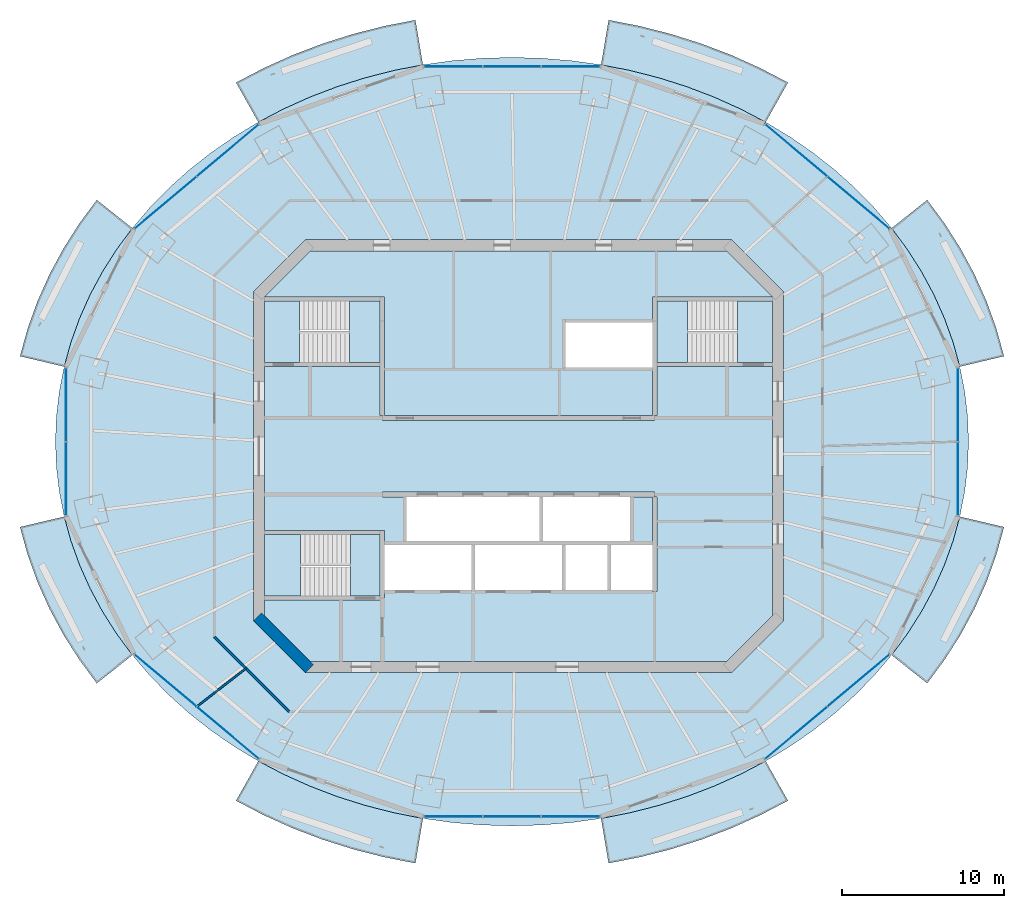
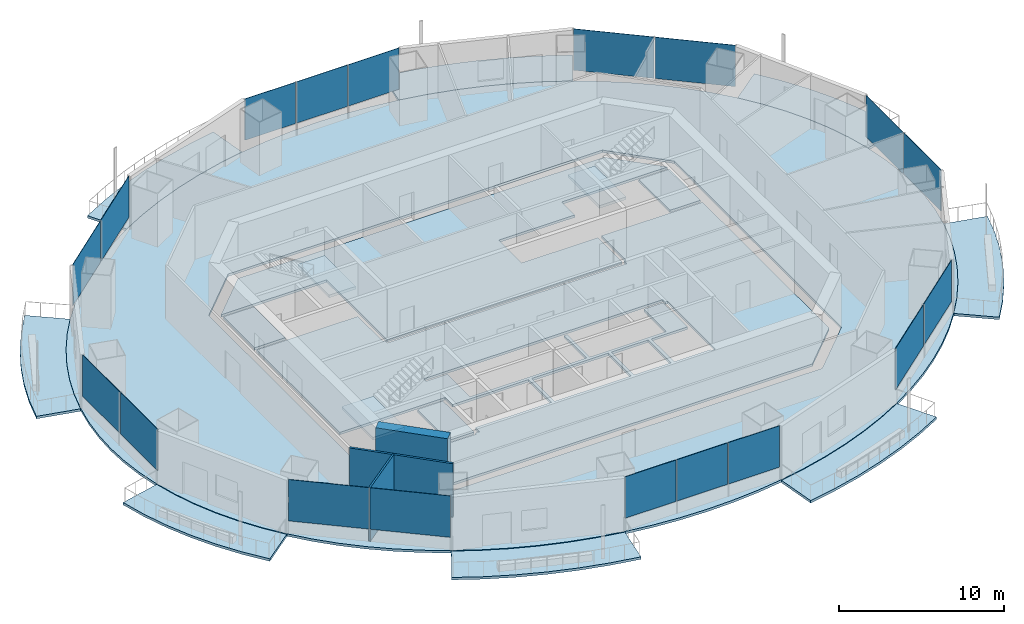
# One storey, part 7 of 16: 18 plates, 17 slabs, 3 walls, 11 elements without a shape of their own.
"""IFC4 building model written with IfcOpenShell, lengths in metres."""

from ifc_helpers import new_model, si_unit, direction, frame, frame_2d, origin, origin_2d, place, context, subcontext, project, spatial, polyline, rectangle, outline, extrude, material, layer, layer_set, type_object, element, aggregate, save


model = new_model("IFC4")

# Units and contexts
model_context = context("Model", 3, precision=1e-05, world=origin(), true_north=direction((0.0, 1.0)))
body_context = subcontext(model_context, "Body", "Model", "MODEL_VIEW")
ifc_project = project(units=[si_unit("LENGTHUNIT", "METRE"), si_unit("AREAUNIT", "SQUARE_METRE"), si_unit("VOLUMEUNIT", "CUBIC_METRE"), si_unit("PLANEANGLEUNIT", "RADIAN"), si_unit("MASSUNIT", "GRAM", prefix="KILO")], contexts=[model_context])

# Site, building, storey
site_placement = place(None, origin())
site = spatial("IfcSite", under=ifc_project, at=site_placement, CompositionType="ELEMENT")
building_placement = place(site_placement, origin())
building = spatial("IfcBuilding", under=site, at=building_placement, Name="Marenthal Gate Tower", CompositionType="ELEMENT")
storey_placement = place(building_placement, frame((0.0, 0.0, 309.39990234375)))
storey = spatial("IfcBuildingStorey", under=building, at=storey_placement, Name="L69", CompositionType="ELEMENT", Elevation=309.39990234375)

# Slabs
ifc_material_1 = material(Name="Concrete 40 MPa", Category="concrete")
ifc_layer_1 = layer(ifc_material_1, 0.179931640625)
ifc_layer_set_1 = layer_set([ifc_layer_1], Name="Balcony deck 180")
slab_type_1 = type_object("IfcSlabType", Name="Balcony deck 180", PredefinedType="USERDEFINED", material=ifc_layer_set_1)
slab_1_placement = place(storey_placement, frame((0.0, 0.0, -0.219970703125)))
element("IfcSlab", 1, at=slab_1_placement, inside=storey, type_object=slab_type_1, Name="Balcony deck L69 bay 1", ObjectType="BALCONY", PredefinedType="USERDEFINED", context=body_context, shape_type="SweptSolid", body=[
    extrude(outline(polyline([(27.212890625, 5.522216796875), (26.794677734375, 7.031982421875), (26.260009765625, 8.515380859375), (25.61083984375, 9.966552734375), (24.8505859375, 11.378662109375), (23.982177734375, 12.74609375), (23.00927734375, 14.0625), (25.201904296875, 15.8037109375), (26.291015625, 14.330078125), (27.266357421875, 12.79443359375), (28.123046875, 11.203125), (28.856689453125, 9.56298828125), (29.462646484375, 7.88134765625), (29.93798828125, 6.166259765625), (27.212890625, 5.522216796875)])), origin(), (0.0, 0.0, 1.0), 0.18017578125),
])
slab_2_placement = place(storey_placement, frame((0.0, 0.0, -0.219970703125)))
element("IfcSlab", 2, at=slab_2_placement, inside=storey, type_object=slab_type_1, Name="Balcony deck L69 bay 3", ObjectType="BALCONY", PredefinedType="USERDEFINED", context=body_context, shape_type="SweptSolid", body=[
    extrude(outline(polyline([(15.241455078125, 20.59912109375), (13.677001953125, 21.41796875), (12.05224609375, 22.148681640625), (10.3740234375, 22.78857421875), (8.64990234375, 23.334716796875), (6.88671875, 23.78466796875), (5.092529296875, 24.13671875), (5.554931640625, 26.8984375), (7.502685546875, 26.51611328125), (9.4189453125, 26.027099609375), (11.295654296875, 25.4326171875), (13.12548828125, 24.73486328125), (14.900634765625, 23.936279296875), (16.61376953125, 23.039794921875), (15.241455078125, 20.59912109375)])), origin(), (0.0, 0.0, 1.0), 0.18017578125),
])
slab_3_placement = place(storey_placement, frame((0.0, 0.0, -0.219970703125)))
element("IfcSlab", 3, at=slab_3_placement, inside=storey, type_object=slab_type_1, Name="Balcony deck L69 bay 5", ObjectType="BALCONY", PredefinedType="USERDEFINED", context=body_context, shape_type="SweptSolid", body=[
    extrude(outline(polyline([(-5.892578125, 24.13671875), (-7.686767578125, 23.78466796875), (-9.44970703125, 23.334716796875), (-11.174072265625, 22.78857421875), (-12.852294921875, 22.148681640625), (-14.47705078125, 21.41796875), (-16.04150390625, 20.59912109375), (-17.413818359375, 23.039794921875), (-15.70068359375, 23.936279296875), (-13.925537109375, 24.73486328125), (-12.095703125, 25.4326171875), (-10.21875, 26.027099609375), (-8.302734375, 26.51611328125), (-6.354736328125, 26.8984375), (-5.892578125, 24.13671875)])), origin(), (0.0, 0.0, 1.0), 0.18017578125),
])
slab_4_placement = place(storey_placement, frame((0.0, 0.0, -0.219970703125)))
element("IfcSlab", 4, at=slab_4_placement, inside=storey, type_object=slab_type_1, Name="Balcony deck L69 bay 7", ObjectType="BALCONY", PredefinedType="USERDEFINED", context=body_context, shape_type="SweptSolid", body=[
    extrude(outline(polyline([(-23.80908203125, 14.0625), (-24.781982421875, 12.74609375), (-25.650634765625, 11.378662109375), (-26.410888671875, 9.966552734375), (-27.059814453125, 8.515380859375), (-27.5947265625, 7.031982421875), (-28.012939453125, 5.522216796875), (-30.73779296875, 6.166259765625), (-30.2626953125, 7.88134765625), (-29.656494140625, 9.56298828125), (-28.923095703125, 11.203125), (-28.06640625, 12.79443359375), (-27.091064453125, 14.330078125), (-26.001953125, 15.8037109375), (-23.80908203125, 14.0625)])), origin(), (0.0, 0.0, 1.0), 0.18017578125),
])
slab_5_placement = place(storey_placement, frame((0.0, 0.0, -0.219970703125)))
element("IfcSlab", 5, at=slab_5_placement, inside=storey, type_object=slab_type_1, Name="Balcony deck L69 bay 9", ObjectType="BALCONY", PredefinedType="USERDEFINED", context=body_context, shape_type="SweptSolid", body=[
    extrude(outline(polyline([(-28.012939453125, -3.72216796875), (-27.5947265625, -5.23193359375), (-27.059814453125, -6.715576171875), (-26.410888671875, -8.16650390625), (-25.650634765625, -9.57861328125), (-24.781982421875, -10.946044921875), (-23.80908203125, -12.2626953125), (-26.001953125, -14.003662109375), (-27.091064453125, -12.530029296875), (-28.06640625, -10.994384765625), (-28.923095703125, -9.403076171875), (-29.656494140625, -7.762939453125), (-30.2626953125, -6.08154296875), (-30.73779296875, -4.3662109375), (-28.012939453125, -3.72216796875)])), origin(), (0.0, 0.0, 1.0), 0.18017578125),
])
slab_6_placement = place(storey_placement, frame((0.0, 0.0, -0.219970703125)))
element("IfcSlab", 6, at=slab_6_placement, inside=storey, type_object=slab_type_1, Name="Balcony deck L69 bay 11", ObjectType="BALCONY", PredefinedType="USERDEFINED", context=body_context, shape_type="SweptSolid", body=[
    extrude(outline(polyline([(-16.04150390625, -18.79931640625), (-14.47705078125, -19.617919921875), (-12.852294921875, -20.3486328125), (-11.174072265625, -20.988525390625), (-9.44970703125, -21.53466796875), (-7.686767578125, -21.984619140625), (-5.892578125, -22.3369140625), (-6.354736328125, -25.098388671875), (-8.302734375, -24.716064453125), (-10.21875, -24.22705078125), (-12.095703125, -23.632568359375), (-13.925537109375, -22.934814453125), (-15.70068359375, -22.136474609375), (-17.413818359375, -21.23974609375), (-16.04150390625, -18.79931640625)])), origin(), (0.0, 0.0, 1.0), 0.18017578125),
])
slab_7_placement = place(storey_placement, frame((0.0, 0.0, -0.219970703125)))
element("IfcSlab", 7, at=slab_7_placement, inside=storey, type_object=slab_type_1, Name="Balcony deck L69 bay 13", ObjectType="BALCONY", PredefinedType="USERDEFINED", context=body_context, shape_type="SweptSolid", body=[
    extrude(outline(polyline([(5.092529296875, -22.3369140625), (6.88671875, -21.984619140625), (8.64990234375, -21.53466796875), (10.3740234375, -20.988525390625), (12.05224609375, -20.3486328125), (13.677001953125, -19.617919921875), (15.241455078125, -18.79931640625), (16.61376953125, -21.23974609375), (14.900634765625, -22.136474609375), (13.12548828125, -22.934814453125), (11.295654296875, -23.632568359375), (9.4189453125, -24.22705078125), (7.502685546875, -24.716064453125), (5.554931640625, -25.098388671875), (5.092529296875, -22.3369140625)])), origin(), (0.0, 0.0, 1.0), 0.18017578125),
])
slab_8_placement = place(storey_placement, frame((0.0, 0.0, -0.219970703125)))
element("IfcSlab", 8, at=slab_8_placement, inside=storey, type_object=slab_type_1, Name="Balcony deck L69 bay 15", ObjectType="BALCONY", PredefinedType="USERDEFINED", context=body_context, shape_type="SweptSolid", body=[
    extrude(outline(polyline([(23.00927734375, -12.2626953125), (23.982177734375, -10.946044921875), (24.8505859375, -9.57861328125), (25.61083984375, -8.16650390625), (26.260009765625, -6.715576171875), (26.794677734375, -5.23193359375), (27.212890625, -3.72216796875), (29.93798828125, -4.3662109375), (29.462646484375, -6.08154296875), (28.856689453125, -7.762939453125), (28.123046875, -9.403076171875), (27.266357421875, -10.994384765625), (26.291015625, -12.530029296875), (25.201904296875, -14.003662109375), (23.00927734375, -12.2626953125)])), origin(), (0.0, 0.0, 1.0), 0.18017578125),
])
ifc_material_2 = material(Name="Concrete 50 MPa", Category="concrete")
ifc_layer_2 = layer(ifc_material_2, 0.179931640625)
ifc_layer_set_2 = layer_set([ifc_layer_2], Name="Core floor slab 180")
slab_type_2 = type_object("IfcSlabType", Name="Core floor slab 180", PredefinedType="FLOOR", material=ifc_layer_set_2)
slab_9_placement = place(storey_placement, frame((0.0, 0.0, -0.179931640625)))
element("IfcSlab", 9, at=slab_9_placement, inside=storey, type_object=slab_type_2, Name="Core floor L69", PredefinedType="FLOOR", context=body_context, shape_type="SweptSolid", body=[
    extrude(outline(polyline([(12.85498046875, -12.64990234375), (-12.85498046875, -12.64990234375), (-15.64990234375, -9.85498046875), (-15.64990234375, -8.875), (-8.550048828125, -8.875), (-8.550048828125, -8.75), (-8.25, -8.75), (-8.25, -8.239990234375), (-5.60009765625, -8.239990234375), (-2.909912109375, -8.239990234375), (-2.909912109375, -5.4599609375), (-5.60009765625, -5.4599609375), (-8.25, -5.4599609375), (-8.25, -4.574951171875), (-8.550048828125, -4.574951171875), (-15.64990234375, -4.574951171875), (-15.64990234375, 5.52490234375), (-8.550048828125, 5.52490234375), (-8.550048828125, 2.5), (-8.39990234375, 2.5), (-8.39990234375, 2.199951171875), (8.39990234375, 2.199951171875), (8.39990234375, 2.5), (8.550048828125, 2.5), (8.550048828125, 5.52490234375), (15.64990234375, 5.52490234375), (15.64990234375, -9.85498046875), (12.85498046875, -12.64990234375)]), holes=[polyline([(0.0, -8.239990234375), (2.68994140625, -8.239990234375), (2.68994140625, -5.4599609375), (0.0, -5.4599609375), (-2.68994140625, -5.4599609375), (-2.68994140625, -8.239990234375), (0.0, -8.239990234375)]), polyline([(1.2900390625, -5.239990234375), (1.2900390625, -2.5), (1.510009765625, -2.5), (1.510009765625, -5.239990234375), (4.199951171875, -5.239990234375), (6.889892578125, -5.239990234375), (6.889892578125, -2.5), (8.25, -2.5), (8.25, -5.4599609375), (5.7099609375, -5.4599609375), (5.7099609375, -8.239990234375), (8.25, -8.239990234375), (8.25, -8.35009765625), (8.550048828125, -8.35009765625), (8.550048828125, -2.5), (8.39990234375, -2.5), (8.39990234375, -2.199951171875), (-8.39990234375, -2.199951171875), (-8.39990234375, -2.5), (-6.889892578125, -2.5), (-6.889892578125, -5.239990234375), (-4.199951171875, -5.239990234375), (-1.39990234375, -5.239990234375), (1.2900390625, -5.239990234375)]), polyline([(5.489990234375, -5.4599609375), (2.909912109375, -5.4599609375), (2.909912109375, -8.239990234375), (5.489990234375, -8.239990234375), (5.489990234375, -5.4599609375)])]), origin(), (0.0, 0.0, 1.0), 0.179931640625),
])
slab_10_placement = place(storey_placement, frame((0.0, 0.0, -0.179931640625)))
element("IfcSlab", 10, at=slab_10_placement, inside=storey, type_object=slab_type_2, Name="Core floor L69", PredefinedType="FLOOR", context=body_context, shape_type="SweptSolid", body=[
    extrude(outline(polyline([(15.64990234375, 5.77490234375), (13.5, 5.77490234375), (13.5, 9.574951171875), (15.64990234375, 9.574951171875), (15.64990234375, 5.77490234375)])), origin(), (0.0, 0.0, 1.0), 0.179931640625),
])
slab_11_placement = place(storey_placement, frame((0.0, 0.0, -0.179931640625)))
element("IfcSlab", 11, at=slab_11_placement, inside=storey, type_object=slab_type_2, Name="Core floor L69", PredefinedType="FLOOR", context=body_context, shape_type="SweptSolid", body=[
    extrude(outline(polyline([(15.64990234375, 9.824951171875), (8.550048828125, 9.824951171875), (8.25, 9.824951171875), (8.25, 8.35009765625), (8.25, 8.239990234375), (5.60009765625, 8.239990234375), (2.909912109375, 8.239990234375), (2.909912109375, 5.4599609375), (5.60009765625, 5.4599609375), (8.25, 5.4599609375), (8.25, 2.5), (-8.25, 2.5), (-8.25, 8.35009765625), (-8.25, 9.824951171875), (-8.550048828125, 9.824951171875), (-15.64990234375, 9.824951171875), (-15.64990234375, 9.85498046875), (-12.85498046875, 12.64990234375), (12.85498046875, 12.64990234375), (15.64990234375, 9.85498046875), (15.64990234375, 9.824951171875)])), origin(), (0.0, 0.0, 1.0), 0.179931640625),
])
slab_12_placement = place(storey_placement, frame((0.0, 0.0, -0.179931640625)))
element("IfcSlab", 12, at=slab_12_placement, inside=storey, type_object=slab_type_2, Name="Core floor L69", PredefinedType="FLOOR", context=body_context, shape_type="SweptSolid", body=[
    extrude(outline(polyline([(-15.64990234375, 9.574951171875), (-13.5, 9.574951171875), (-13.5, 5.77490234375), (-15.64990234375, 5.77490234375), (-15.64990234375, 9.574951171875)])), origin(), (0.0, 0.0, 1.0), 0.179931640625),
])
slab_13_placement = place(storey_placement, frame((0.0, 0.0, -0.179931640625)))
element("IfcSlab", 13, at=slab_13_placement, inside=storey, type_object=slab_type_2, Name="Core floor L69", PredefinedType="FLOOR", context=body_context, shape_type="SweptSolid", body=[
    extrude(outline(polyline([(-8.550048828125, -4.824951171875), (-8.550048828125, -8.625), (-10.35009765625, -8.625), (-10.35009765625, -4.824951171875), (-8.550048828125, -4.824951171875)])), origin(), (0.0, 0.0, 1.0), 0.179931640625),
])
ifc_material_3 = material(Name="Concrete 35 MPa", Category="concrete")
ifc_layer_3 = layer(ifc_material_3, 0.179931640625)
ifc_layer_set_3 = layer_set([ifc_layer_3], Name="Floor slab 180")
slab_type_3 = type_object("IfcSlabType", Name="Floor slab 180", PredefinedType="FLOOR", material=ifc_layer_set_3)
slab_14_placement = place(storey_placement, frame((0.0, 0.0, -0.179931640625)))
element("IfcSlab", 14, at=slab_14_placement, inside=storey, type_object=slab_type_3, Name="SL-L69-01", PredefinedType="FLOOR", context=body_context, shape_type="SweptSolid", body=[
    extrude(outline(polyline([(27.75390625, 0.89990234375), (27.693603515625, 2.449462890625), (27.51318359375, 3.992431640625), (27.212890625, 5.522216796875), (26.794677734375, 7.031982421875), (26.260009765625, 8.515380859375), (25.61083984375, 9.966552734375), (24.8505859375, 11.378662109375), (23.982177734375, 12.74609375), (23.00927734375, 14.0625), (21.93603515625, 15.32275390625), (20.767333984375, 16.521240234375), (19.5078125, 17.65283203125), (18.1630859375, 18.712646484375), (16.739013671875, 19.696044921875), (15.241455078125, 20.59912109375), (13.677001953125, 21.41796875), (12.05224609375, 22.148681640625), (10.3740234375, 22.78857421875), (8.64990234375, 23.334716796875), (6.88671875, 23.78466796875), (5.092529296875, 24.13671875), (3.27490234375, 24.389404296875), (1.44140625, 24.541259765625), (-0.39990234375, 24.592041015625), (-2.241455078125, 24.541259765625), (-4.07470703125, 24.389404296875), (-5.892578125, 24.13671875), (-7.686767578125, 23.78466796875), (-9.44970703125, 23.334716796875), (-11.174072265625, 22.78857421875), (-12.852294921875, 22.148681640625), (-14.47705078125, 21.41796875), (-16.04150390625, 20.59912109375), (-17.5390625, 19.696044921875), (-18.963134765625, 18.712646484375), (-20.307861328125, 17.65283203125), (-21.5673828125, 16.521240234375), (-22.736083984375, 15.32275390625), (-23.80908203125, 14.0625), (-24.781982421875, 12.74609375), (-25.650634765625, 11.378662109375), (-26.410888671875, 9.966552734375), (-27.059814453125, 8.515380859375), (-27.5947265625, 7.031982421875), (-28.012939453125, 5.522216796875), (-28.31298828125, 3.992431640625), (-28.49365234375, 2.449462890625), (-28.553955078125, 0.89990234375), (-28.49365234375, -0.6494140625), (-28.31298828125, -2.1923828125), (-28.012939453125, -3.72216796875), (-27.5947265625, -5.23193359375), (-27.059814453125, -6.715576171875), (-26.410888671875, -8.16650390625), (-25.650634765625, -9.57861328125), (-24.781982421875, -10.946044921875), (-23.80908203125, -12.2626953125), (-22.736083984375, -13.522705078125), (-21.5673828125, -14.72119140625), (-20.307861328125, -15.852783203125), (-18.963134765625, -16.91259765625), (-17.5390625, -17.89599609375), (-16.04150390625, -18.79931640625), (-14.47705078125, -19.617919921875), (-12.852294921875, -20.3486328125), (-11.174072265625, -20.988525390625), (-9.44970703125, -21.53466796875), (-7.686767578125, -21.984619140625), (-5.892578125, -22.3369140625), (-4.07470703125, -22.58935546875), (-2.241455078125, -22.7412109375), (-0.39990234375, -22.7919921875), (1.44140625, -22.7412109375), (3.27490234375, -22.58935546875), (5.092529296875, -22.3369140625), (6.88671875, -21.984619140625), (8.64990234375, -21.53466796875), (10.3740234375, -20.988525390625), (12.05224609375, -20.3486328125), (13.677001953125, -19.617919921875), (15.241455078125, -18.79931640625), (16.739013671875, -17.89599609375), (18.1630859375, -16.91259765625), (19.5078125, -15.852783203125), (20.767333984375, -14.72119140625), (21.93603515625, -13.522705078125), (23.00927734375, -12.2626953125), (23.982177734375, -10.946044921875), (24.8505859375, -9.57861328125), (25.61083984375, -8.16650390625), (26.260009765625, -6.715576171875), (26.794677734375, -5.23193359375), (27.212890625, -3.72216796875), (27.51318359375, -2.1923828125), (27.693603515625, -0.6494140625), (27.75390625, 0.89990234375)]), holes=[polyline([(13.14501953125, -13.35009765625), (16.35009765625, -10.14501953125), (16.35009765625, 10.14501953125), (13.14501953125, 13.35009765625), (-13.14501953125, 13.35009765625), (-16.35009765625, 10.14501953125), (-16.35009765625, -10.14501953125), (-13.14501953125, -13.35009765625), (13.14501953125, -13.35009765625)])]), origin(), (0.0, 0.0, 1.0), 0.179931640625),
])

# Curtain wall, plates
ifc_material_4 = material(Name="Aluminium and glass", Category="aluminium")
curtain_wall_type = type_object("IfcCurtainWallType", Name="Curtain wall typical high", PredefinedType="NOTDEFINED", material=ifc_material_4)
curtain_wall_1_placement = place(storey_placement, origin())
curtain_wall_1 = element("IfcCurtainWall", 15, at=curtain_wall_1_placement, inside=storey, type_object=curtain_wall_type, Name="Curtain wall L69 bay 2", PredefinedType="NOTDEFINED")
ifc_material_5 = material(Name="Glass, laminated insulating unit", Category="glass")
ifc_layer_4 = layer(ifc_material_5, 0.031982421875)
ifc_layer_set_4 = layer_set([ifc_layer_4], Name="Glass panel 32 typical high")
plate_type = type_object("IfcPlateType", Name="Glass panel 32 typical high", PredefinedType="CURTAIN_PANEL", material=ifc_layer_set_4)
plate_1_placement = place(storey_placement, frame((20.96435546875, 15.63134765625, 0.89990234375), z_axis=(0.0, 0.0, 1.0), x_axis=(-0.765387011848, 0.643570293048, 0.0)))
plate_1 = element("IfcPlate", 16, at=plate_1_placement, type_object=plate_type, Name="Glass panel L69 bay 2.1", PredefinedType="CURTAIN_PANEL", context=body_context, shape_type="SweptSolid", body=[
    extrude(rectangle(XDim=4.962646484375, YDim=0.031982421875, at=origin_2d()), origin(), (0.0, 0.0, 1.0), 3.070068359375),
])
plate_2_placement = place(storey_placement, frame((17.1201171875, 18.86376953125, 0.89990234375), z_axis=(0.0, 0.0, 1.0), x_axis=(-0.765387011848, 0.643570293048, 0.0)))
plate_2 = element("IfcPlate", 17, at=plate_2_placement, type_object=plate_type, Name="Glass panel L69 bay 2.2", PredefinedType="CURTAIN_PANEL", context=body_context, shape_type="SweptSolid", body=[
    extrude(rectangle(XDim=4.962646484375, YDim=0.031982421875, at=origin_2d()), origin(), (0.0, 0.0, 1.0), 3.070068359375),
])
aggregate(curtain_wall_1, [plate_1, plate_2])

curtain_wall_2_placement = place(storey_placement, origin())
curtain_wall_2 = element("IfcCurtainWall", 18, at=curtain_wall_2_placement, inside=storey, type_object=curtain_wall_type, Name="Curtain wall L69 bay 4", PredefinedType="NOTDEFINED")
plate_3_placement = place(storey_placement, frame((3.22607421875, 24.01904296875, 0.89990234375), z_axis=(0.0, 0.0, 1.0), x_axis=(-1.0, 0.0, 0.0)))
plate_3 = element("IfcPlate", 19, at=plate_3_placement, type_object=plate_type, Name="Glass panel L69 bay 4.1", PredefinedType="CURTAIN_PANEL", context=body_context, shape_type="SweptSolid", body=[
    extrude(rectangle(XDim=3.566162109375, YDim=0.031982421875, at=origin_2d()), origin(), (0.0, 0.0, 1.0), 3.070068359375),
])
plate_4_placement = place(storey_placement, frame((-0.39990234375, 24.01904296875, 0.89990234375), z_axis=(0.0, 0.0, 1.0), x_axis=(-1.0, 0.0, 0.0)))
plate_4 = element("IfcPlate", 20, at=plate_4_placement, type_object=plate_type, Name="Glass panel L69 bay 4.2", PredefinedType="CURTAIN_PANEL", context=body_context, shape_type="SweptSolid", body=[
    extrude(rectangle(XDim=3.566162109375, YDim=0.031982421875, at=origin_2d()), origin(), (0.0, 0.0, 1.0), 3.070068359375),
])
plate_5_placement = place(storey_placement, frame((-4.026123046875, 24.01904296875, 0.89990234375), z_axis=(0.0, 0.0, 1.0), x_axis=(-1.0, 0.0, 0.0)))
plate_5 = element("IfcPlate", 21, at=plate_5_placement, type_object=plate_type, Name="Glass panel L69 bay 4.3", PredefinedType="CURTAIN_PANEL", context=body_context, shape_type="SweptSolid", body=[
    extrude(rectangle(XDim=3.566162109375, YDim=0.031982421875, at=origin_2d()), origin(), (0.0, 0.0, 1.0), 3.070068359375),
])
aggregate(curtain_wall_2, [plate_3, plate_4, plate_5])

curtain_wall_3_placement = place(storey_placement, origin())
curtain_wall_3 = element("IfcCurtainWall", 22, at=curtain_wall_3_placement, inside=storey, type_object=curtain_wall_type, Name="Curtain wall L69 bay 6", PredefinedType="NOTDEFINED")
plate_6_placement = place(storey_placement, frame((-17.919921875, 18.86376953125, 0.89990234375), z_axis=(0.0, 0.0, 1.0), x_axis=(-0.765387011848, -0.643570293048, 0.0)))
plate_6 = element("IfcPlate", 23, at=plate_6_placement, type_object=plate_type, Name="Glass panel L69 bay 6.1", PredefinedType="CURTAIN_PANEL", context=body_context, shape_type="SweptSolid", body=[
    extrude(rectangle(XDim=4.962646484375, YDim=0.031982421875, at=origin_2d()), origin(), (0.0, 0.0, 1.0), 3.070068359375),
])
plate_7_placement = place(storey_placement, frame((-21.764404296875, 15.63134765625, 0.89990234375), z_axis=(0.0, 0.0, 1.0), x_axis=(-0.765387011848, -0.643570293048, 0.0)))
plate_7 = element("IfcPlate", 24, at=plate_7_placement, type_object=plate_type, Name="Glass panel L69 bay 6.2", PredefinedType="CURTAIN_PANEL", context=body_context, shape_type="SweptSolid", body=[
    extrude(rectangle(XDim=4.962646484375, YDim=0.031982421875, at=origin_2d()), origin(), (0.0, 0.0, 1.0), 3.070068359375),
])
aggregate(curtain_wall_3, [plate_6, plate_7])

curtain_wall_4_placement = place(storey_placement, origin())
curtain_wall_4 = element("IfcCurtainWall", 25, at=curtain_wall_4_placement, inside=storey, type_object=curtain_wall_type, Name="Curtain wall L69 bay 8", PredefinedType="NOTDEFINED")
plate_8_placement = place(storey_placement, frame((-27.895263671875, 3.184326171875, 0.89990234375), z_axis=(0.0, 0.0, 1.0), x_axis=(0.0, -1.0, 0.0)))
plate_8 = element("IfcPlate", 26, at=plate_8_placement, type_object=plate_type, Name="Glass panel L69 bay 8.1", PredefinedType="CURTAIN_PANEL", context=body_context, shape_type="SweptSolid", body=[
    extrude(rectangle(XDim=4.5087890625, YDim=0.031982421875, at=origin_2d()), origin(), (0.0, 0.0, 1.0), 3.070068359375),
])
plate_9_placement = place(storey_placement, frame((-27.895263671875, -1.38427734375, 0.89990234375), z_axis=(0.0, 0.0, 1.0), x_axis=(0.0, -1.0, 0.0)))
plate_9 = element("IfcPlate", 27, at=plate_9_placement, type_object=plate_type, Name="Glass panel L69 bay 8.2", PredefinedType="CURTAIN_PANEL", context=body_context, shape_type="SweptSolid", body=[
    extrude(rectangle(XDim=4.5087890625, YDim=0.031982421875, at=origin_2d()), origin(), (0.0, 0.0, 1.0), 3.070068359375),
])
aggregate(curtain_wall_4, [plate_8, plate_9])

curtain_wall_5_placement = place(storey_placement, origin())
curtain_wall_5 = element("IfcCurtainWall", 28, at=curtain_wall_5_placement, inside=storey, type_object=curtain_wall_type, Name="Curtain wall L69 bay 10", PredefinedType="NOTDEFINED")
plate_10_placement = place(storey_placement, frame((-21.764404296875, -13.83154296875, 0.89990234375), z_axis=(0.0, 0.0, 1.0), x_axis=(0.765387011848, -0.643570293048, 0.0)))
plate_10 = element("IfcPlate", 29, at=plate_10_placement, type_object=plate_type, Name="Glass panel L69 bay 10.1", PredefinedType="CURTAIN_PANEL", context=body_context, shape_type="SweptSolid", body=[
    extrude(rectangle(XDim=4.962646484375, YDim=0.031982421875, at=origin_2d()), origin(), (0.0, 0.0, 1.0), 3.070068359375),
])
plate_11_placement = place(storey_placement, frame((-17.919921875, -17.06396484375, 0.89990234375), z_axis=(0.0, 0.0, 1.0), x_axis=(0.765387011848, -0.643570293048, 0.0)))
plate_11 = element("IfcPlate", 30, at=plate_11_placement, type_object=plate_type, Name="Glass panel L69 bay 10.2", PredefinedType="CURTAIN_PANEL", context=body_context, shape_type="SweptSolid", body=[
    extrude(rectangle(XDim=4.962646484375, YDim=0.031982421875, at=origin_2d()), origin(), (0.0, 0.0, 1.0), 3.070068359375),
])
aggregate(curtain_wall_5, [plate_10, plate_11])

curtain_wall_6_placement = place(storey_placement, origin())
curtain_wall_6 = element("IfcCurtainWall", 31, at=curtain_wall_6_placement, inside=storey, type_object=curtain_wall_type, Name="Curtain wall L69 bay 12", PredefinedType="NOTDEFINED")
plate_12_placement = place(storey_placement, frame((-4.026123046875, -22.218994140625, 0.89990234375), z_axis=(0.0, 0.0, 1.0), x_axis=(1.0, 0.0, 0.0)))
plate_12 = element("IfcPlate", 32, at=plate_12_placement, type_object=plate_type, Name="Glass panel L69 bay 12.1", PredefinedType="CURTAIN_PANEL", context=body_context, shape_type="SweptSolid", body=[
    extrude(rectangle(XDim=3.566162109375, YDim=0.031982421875, at=origin_2d()), origin(), (0.0, 0.0, 1.0), 3.070068359375),
])
plate_13_placement = place(storey_placement, frame((-0.39990234375, -22.218994140625, 0.89990234375), z_axis=(0.0, 0.0, 1.0), x_axis=(1.0, 0.0, 0.0)))
plate_13 = element("IfcPlate", 33, at=plate_13_placement, type_object=plate_type, Name="Glass panel L69 bay 12.2", PredefinedType="CURTAIN_PANEL", context=body_context, shape_type="SweptSolid", body=[
    extrude(rectangle(XDim=3.566162109375, YDim=0.031982421875, at=origin_2d()), origin(), (0.0, 0.0, 1.0), 3.070068359375),
])
plate_14_placement = place(storey_placement, frame((3.22607421875, -22.218994140625, 0.89990234375), z_axis=(0.0, 0.0, 1.0), x_axis=(1.0, 0.0, 0.0)))
plate_14 = element("IfcPlate", 34, at=plate_14_placement, type_object=plate_type, Name="Glass panel L69 bay 12.3", PredefinedType="CURTAIN_PANEL", context=body_context, shape_type="SweptSolid", body=[
    extrude(rectangle(XDim=3.566162109375, YDim=0.031982421875, at=origin_2d()), origin(), (0.0, 0.0, 1.0), 3.070068359375),
])
aggregate(curtain_wall_6, [plate_12, plate_13, plate_14])

curtain_wall_7_placement = place(storey_placement, origin())
curtain_wall_7 = element("IfcCurtainWall", 35, at=curtain_wall_7_placement, inside=storey, type_object=curtain_wall_type, Name="Curtain wall L69 bay 14", PredefinedType="NOTDEFINED")
plate_15_placement = place(storey_placement, frame((17.1201171875, -17.06396484375, 0.89990234375), z_axis=(0.0, 0.0, 1.0), x_axis=(0.765387011848, 0.643570293048, 0.0)))
plate_15 = element("IfcPlate", 36, at=plate_15_placement, type_object=plate_type, Name="Glass panel L69 bay 14.1", PredefinedType="CURTAIN_PANEL", context=body_context, shape_type="SweptSolid", body=[
    extrude(rectangle(XDim=4.962646484375, YDim=0.031982421875, at=origin_2d()), origin(), (0.0, 0.0, 1.0), 3.070068359375),
])
plate_16_placement = place(storey_placement, frame((20.96435546875, -13.83154296875, 0.89990234375), z_axis=(0.0, 0.0, 1.0), x_axis=(0.765387011848, 0.643570293048, 0.0)))
plate_16 = element("IfcPlate", 37, at=plate_16_placement, type_object=plate_type, Name="Glass panel L69 bay 14.2", PredefinedType="CURTAIN_PANEL", context=body_context, shape_type="SweptSolid", body=[
    extrude(rectangle(XDim=4.962646484375, YDim=0.031982421875, at=origin_2d()), origin(), (0.0, 0.0, 1.0), 3.070068359375),
])
aggregate(curtain_wall_7, [plate_15, plate_16])

curtain_wall_8_placement = place(storey_placement, origin())
curtain_wall_8 = element("IfcCurtainWall", 38, at=curtain_wall_8_placement, inside=storey, type_object=curtain_wall_type, Name="Curtain wall L69 bay 16", PredefinedType="NOTDEFINED")
plate_17_placement = place(storey_placement, frame((27.09521484375, -1.38427734375, 0.89990234375), z_axis=(0.0, 0.0, 1.0), x_axis=(0.0, 1.0, 0.0)))
plate_17 = element("IfcPlate", 39, at=plate_17_placement, type_object=plate_type, Name="Glass panel L69 bay 16.1", PredefinedType="CURTAIN_PANEL", context=body_context, shape_type="SweptSolid", body=[
    extrude(rectangle(XDim=4.5087890625, YDim=0.031982421875, at=origin_2d()), origin(), (0.0, 0.0, 1.0), 3.070068359375),
])
plate_18_placement = place(storey_placement, frame((27.09521484375, 3.184326171875, 0.89990234375), z_axis=(0.0, 0.0, 1.0), x_axis=(0.0, 1.0, 0.0)))
plate_18 = element("IfcPlate", 40, at=plate_18_placement, type_object=plate_type, Name="Glass panel L69 bay 16.2", PredefinedType="CURTAIN_PANEL", context=body_context, shape_type="SweptSolid", body=[
    extrude(rectangle(XDim=4.5087890625, YDim=0.031982421875, at=origin_2d()), origin(), (0.0, 0.0, 1.0), 3.070068359375),
])
aggregate(curtain_wall_8, [plate_17, plate_18])

# Stair, slab
ifc_material_6 = material(Name="Concrete 40 MPa", Category="concrete")
stair_type = type_object("IfcStairType", Name="Exit stair 1800", PredefinedType="HALF_TURN_STAIR", material=ifc_material_6)
stair_1_placement = place(storey_placement, origin())
stair_1 = element("IfcStair", 41, at=stair_1_placement, inside=storey, type_object=stair_type, Name="Stair ST1", PredefinedType="HALF_TURN_STAIR")
ifc_material_7 = material(Name="Concrete 40 MPa", Category="concrete")
ifc_layer_5 = layer(ifc_material_7, 0.199951171875)
ifc_layer_set_5 = layer_set([ifc_layer_5], Name="Stair landing 200")
slab_type_4 = type_object("IfcSlabType", Name="Stair landing 200", PredefinedType="LANDING", material=ifc_layer_set_5)
slab_15_placement = place(storey_placement, frame((0.0, 0.0, 1.875)))
slab_15 = element("IfcSlab", 42, at=slab_15_placement, type_object=slab_type_4, Name="ST1 landing 1", PredefinedType="LANDING", context=body_context, shape_type="SweptSolid", body=[
    extrude(outline(polyline([(-10.419921875, 5.77490234375), (-8.550048828125, 5.77490234375), (-8.550048828125, 9.574951171875), (-10.419921875, 9.574951171875), (-10.419921875, 5.77490234375)])), origin(), (0.0, 0.0, 1.0), 0.2001953125),
])
aggregate(stair_1, [slab_15])

stair_2_placement = place(storey_placement, origin())
stair_2 = element("IfcStair", 43, at=stair_2_placement, inside=storey, type_object=stair_type, Name="Stair ST2", PredefinedType="HALF_TURN_STAIR")
slab_16_placement = place(storey_placement, frame((0.0, 0.0, 1.875)))
slab_16 = element("IfcSlab", 44, at=slab_16_placement, type_object=slab_type_4, Name="ST2 landing 1", PredefinedType="LANDING", context=body_context, shape_type="SweptSolid", body=[
    extrude(outline(polyline([(-15.64990234375, -8.625), (-13.429931640625, -8.625), (-13.429931640625, -4.824951171875), (-15.64990234375, -4.824951171875), (-15.64990234375, -8.625)])), origin(), (0.0, 0.0, 1.0), 0.2001953125),
])
aggregate(stair_2, [slab_16])

stair_3_placement = place(storey_placement, origin())
stair_3 = element("IfcStair", 45, at=stair_3_placement, inside=storey, type_object=stair_type, Name="Stair ST3", PredefinedType="HALF_TURN_STAIR")
slab_17_placement = place(storey_placement, frame((0.0, 0.0, 1.875)))
slab_17 = element("IfcSlab", 46, at=slab_17_placement, type_object=slab_type_4, Name="ST3 landing 1", PredefinedType="LANDING", context=body_context, shape_type="SweptSolid", body=[
    extrude(outline(polyline([(8.550048828125, 5.77490234375), (10.419921875, 5.77490234375), (10.419921875, 9.574951171875), (8.550048828125, 9.574951171875), (8.550048828125, 5.77490234375)])), origin(), (0.0, 0.0, 1.0), 0.2001953125),
])
aggregate(stair_3, [slab_17])

# Walls
ifc_material_8 = material(Name="Concrete 60 MPa", Category="concrete")
ifc_layer_6 = layer(ifc_material_8, 0.699951171875)
ifc_layer_set_6 = layer_set([ifc_layer_6], Name="Core shear wall 700")
wall_type_1 = type_object("IfcWallType", Name="Core shear wall 700", PredefinedType="SHEAR", material=ifc_layer_set_6)
wall_1_placement = place(storey_placement, frame((-16.1025390625, -9.8974609375, -0.179931640625), z_axis=(0.0, 0.0, 1.0), x_axis=(0.707106781187, -0.707106781187, 0.0)))
element("IfcWall", 47, at=wall_1_placement, inside=storey, type_object=wall_type_1, Name="Core wall 07", PredefinedType="SHEAR", context=body_context, shape_type="SweptSolid", body=[
    extrude(rectangle(XDim=4.53271484375, YDim=0.699951171875, at=frame_2d((2.266357421875, 0.0))), origin(), (0.0, 0.0, 1.0), 4.150146484375),
])
ifc_material_9 = material(Name="Gypsum board on steel studs", Category="steel")
ifc_layer_7 = layer(ifc_material_9, 0.1201171875)
ifc_layer_set_7 = layer_set([ifc_layer_7], Name="Partition 120")
wall_type_2 = type_object("IfcWallType", Name="Partition 120", PredefinedType="PARTITIONING", material=ifc_layer_set_7)
wall_2_placement = place(storey_placement, frame((-16.805419921875, -13.08349609375, 0.0), z_axis=(0.0, 0.0, 1.0), x_axis=(-0.789044686995, -0.614335805504, 0.0)))
element("IfcWall", 48, at=wall_2_placement, inside=storey, type_object=wall_type_2, Name="Partition wall 54", PredefinedType="PARTITIONING", context=body_context, shape_type="SweptSolid", body=[
    extrude(rectangle(XDim=3.848388671875, YDim=0.1201171875, at=frame_2d((1.92431640625, 0.0))), origin(), (0.0, 0.0, 1.0), 3.97021484375),
])
ifc_material_10 = material(Name="Gypsum board on steel studs", Category="steel")
ifc_layer_8 = layer(ifc_material_10, 0.14990234375)
ifc_layer_set_8 = layer_set([ifc_layer_8], Name="Partition 150")
wall_type_3 = type_object("IfcWallType", Name="Partition 150", PredefinedType="PARTITIONING", material=ifc_layer_set_8)
wall_3_placement = place(storey_placement, frame((-14.13916015625, -15.75, 0.0), z_axis=(0.0, 0.0, 1.0), x_axis=(-0.707106781187, 0.707106781187, 0.0)))
element("IfcWall", 49, at=wall_3_placement, inside=storey, type_object=wall_type_3, Name="Partition wall 55", PredefinedType="PARTITIONING", context=body_context, shape_type="SweptSolid", body=[
    extrude(rectangle(XDim=6.520751953125, YDim=0.14990234375, at=frame_2d((3.26025390625, 0.0))), origin(), (0.0, 0.0, 1.0), 3.97021484375),
])

save(model, "model.ifc")
